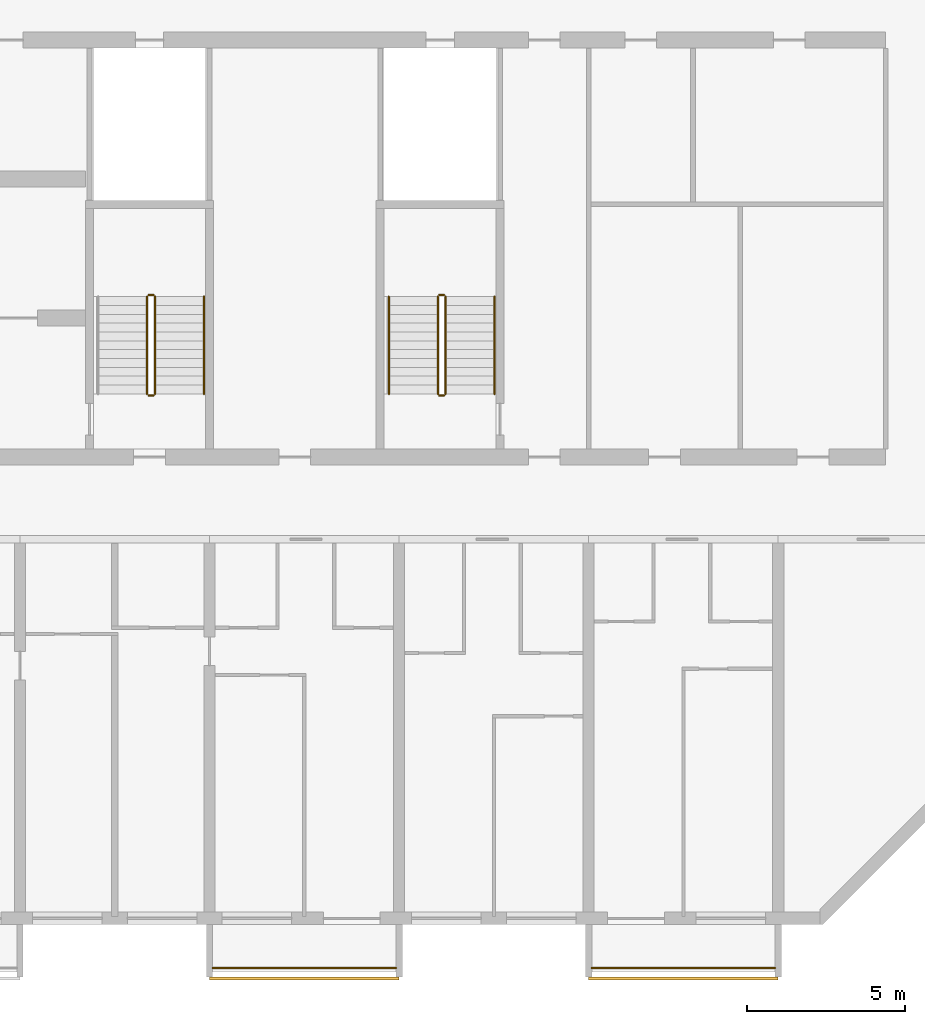
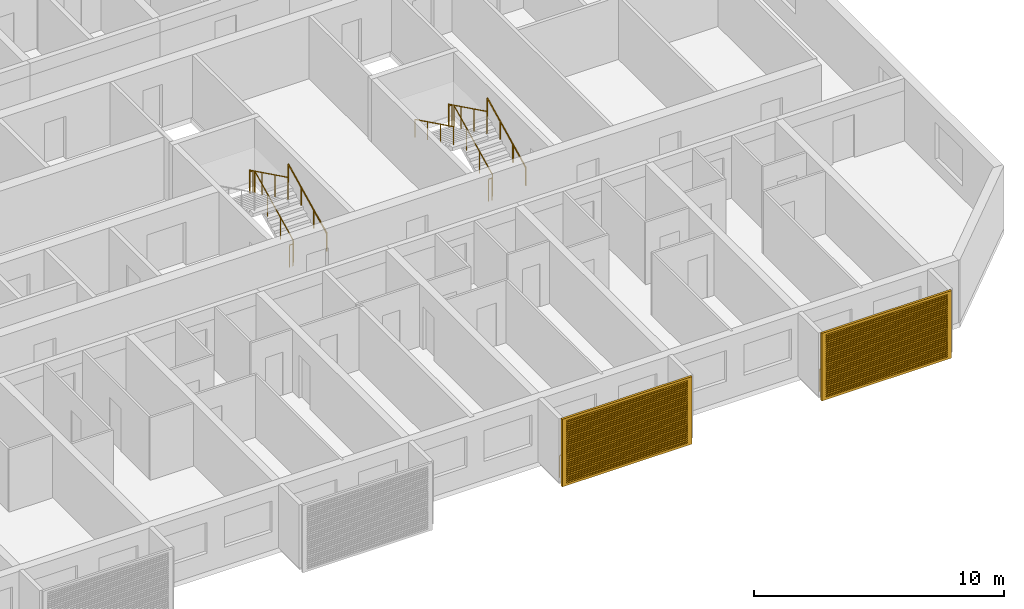
# One storey, part 23 of 25: 13 railings, 2 shading devices.
"""IFC4 building model written with IfcOpenShell, lengths in metres."""

from ifc_helpers import new_model, si_unit, direction, frame, origin, origin_2d, place, context, subcontext, project, spatial, polyline, circle, outline, extrude, source, transform, mapped, material, material_profile, profile_set, type_object, element, save


model = new_model("IFC4")

# Units and contexts
model_context = context("Model", 3, precision=1e-05, world=origin(), true_north=direction((0.0, 1.0)))
body_context = subcontext(model_context, "Body", "Model", "MODEL_VIEW")
ifc_project = project(units=[si_unit("LENGTHUNIT", "METRE"), si_unit("AREAUNIT", "SQUARE_METRE"), si_unit("VOLUMEUNIT", "CUBIC_METRE"), si_unit("PLANEANGLEUNIT", "RADIAN"), si_unit("MASSUNIT", "GRAM", prefix="KILO")], contexts=[model_context])

# Site, building, storey
site_placement = place(None, origin())
site = spatial("IfcSite", under=ifc_project, at=site_placement, CompositionType="ELEMENT")
building_placement = place(site_placement, origin())
building = spatial("IfcBuilding", under=site, at=building_placement, Name="Poui Terraces", CompositionType="ELEMENT")
storey_placement = place(building_placement, frame((0.0, 0.0, 89.39990234375)))
storey = spatial("IfcBuildingStorey", under=building, at=storey_placement, Name="L24", CompositionType="ELEMENT", Elevation=89.39990234375)

# Railings
ifc_material_1 = material(Name="Painted steel fretwork", Category="steel")
railing_type_1 = type_object("IfcRailingType", Name="BALCONY GUARD 1100", PredefinedType="GUARDRAIL", material=ifc_material_1)
for number, where, name in (
    (1, (72.10009765625, -1.570068359375, 0.0), "BALCONY GUARD"),
    (2, (84.10009765625, -1.570068359375, 0.0), "BALCONY GUARD"),
):
    element("IfcRailing", number, at=place(storey_placement, frame(where)), inside=storey, type_object=railing_type_1, Name=name, PredefinedType="GUARDRAIL", context=body_context, shape_type="SweptSolid", body=[
        extrude(circle(Radius=0.02392578125, at=origin_2d()), frame((0.0, 0.0, 1.076171875), z_axis=(1.0, 0.0, 0.0), x_axis=(0.0, 1.0, 0.0)), (0.0, 0.0, 1.0), 5.7998046875),
        extrude(circle(Radius=0.02099609375, at=origin_2d()), origin(), (0.0, 0.0, 1.0), 1.052001953125),
        extrude(circle(Radius=0.02099609375, at=origin_2d()), frame((0.966552734375, 0.0, 0.0)), (0.0, 0.0, 1.0), 1.052001953125),
        extrude(circle(Radius=0.02099609375, at=origin_2d()), frame((1.933349609375, 0.0, 0.0)), (0.0, 0.0, 1.0), 1.052001953125),
        extrude(circle(Radius=0.02099609375, at=origin_2d()), frame((2.89990234375, 0.0, 0.0)), (0.0, 0.0, 1.0), 1.052001953125),
        extrude(circle(Radius=0.02099609375, at=origin_2d()), frame((3.866455078125, 0.0, 0.0)), (0.0, 0.0, 1.0), 1.052001953125),
        extrude(circle(Radius=0.02099609375, at=origin_2d()), frame((4.833251953125, 0.0, 0.0)), (0.0, 0.0, 1.0), 1.052001953125),
        extrude(circle(Radius=0.02099609375, at=origin_2d()), frame((5.7998046875, 0.0, 0.0)), (0.0, 0.0, 1.0), 1.052001953125),
    ])
ifc_material_2 = material(Name="Galvanised steel balustrade", Category="steel")
railing_type_2 = type_object("IfcRailingType", Name="STAIR GUARD 1100", PredefinedType="GUARDRAIL", material=ifc_material_2)
railing_1_placement = place(storey_placement, frame((70.27490234375, 16.60009765625, 0.1376953125)))
element("IfcRailing", 3, at=railing_1_placement, inside=storey, type_object=railing_type_2, Name="L24 ST-CE stair guard 1", PredefinedType="GUARDRAIL", context=body_context, shape_type="SweptSolid", body=[
    extrude(circle(Radius=0.02392578125, at=origin_2d()), frame((0.0, 0.0, 1.076171875), z_axis=(0.0, 0.897606190399, 0.440798283751), x_axis=(-1.0, 0.0, 0.0)), (0.0, 0.0, 1.0), 3.43115234375),
    extrude(circle(Radius=0.02099609375, at=origin_2d()), origin(), (0.0, 0.0, 1.0), 1.052001953125),
    extrude(circle(Radius=0.02099609375, at=origin_2d()), frame((0.0, 1.026611328125, 0.504150390625)), (0.0, 0.0, 1.0), 1.052001953125),
    extrude(circle(Radius=0.02099609375, at=origin_2d()), frame((0.0, 2.05322265625, 1.00830078125)), (0.0, 0.0, 1.0), 1.052001953125),
    extrude(circle(Radius=0.02099609375, at=origin_2d()), frame((0.0, 3.079833984375, 1.512451171875)), (0.0, 0.0, 1.0), 1.052001953125),
])
railing_2_placement = place(storey_placement, frame((70.22509765625, 19.72998046875, 1.650146484375)))
element("IfcRailing", 4, at=railing_2_placement, inside=storey, type_object=railing_type_2, Name="L24 ST-CE stair guard 2", PredefinedType="GUARDRAIL", context=body_context, shape_type="SweptSolid", body=[
    extrude(circle(Radius=0.02392578125, at=origin_2d()), frame((0.0, 0.0, 1.076171875), z_axis=(-1.0, 0.0, 0.0), x_axis=(0.0, -1.0, 0.0)), (0.0, 0.0, 1.0), 0.150146484375),
    extrude(circle(Radius=0.02099609375, at=origin_2d()), origin(), (0.0, 0.0, 1.0), 1.052001953125),
    extrude(circle(Radius=0.02099609375, at=origin_2d()), frame((-0.150146484375, 0.0, 0.0)), (0.0, 0.0, 1.0), 1.052001953125),
])
railing_3_placement = place(storey_placement, frame((70.02490234375, 19.679931640625, 1.78759765625)))
element("IfcRailing", 5, at=railing_3_placement, inside=storey, type_object=railing_type_2, Name="L24 ST-CE stair guard 3", PredefinedType="GUARDRAIL", context=body_context, shape_type="SweptSolid", body=[
    extrude(circle(Radius=0.02392578125, at=origin_2d()), frame((0.0, 0.0, 1.076171875), z_axis=(0.0, -0.897606190399, 0.440798283751), x_axis=(1.0, 0.0, 0.0)), (0.0, 0.0, 1.0), 3.43115234375),
    extrude(circle(Radius=0.02099609375, at=origin_2d()), origin(), (0.0, 0.0, 1.0), 1.052001953125),
    extrude(circle(Radius=0.02099609375, at=origin_2d()), frame((0.0, -1.026611328125, 0.504150390625)), (0.0, 0.0, 1.0), 1.052001953125),
    extrude(circle(Radius=0.02099609375, at=origin_2d()), frame((0.0, -2.05322265625, 1.00830078125)), (0.0, 0.0, 1.0), 1.052001953125),
    extrude(circle(Radius=0.02099609375, at=origin_2d()), frame((0.0, -3.079833984375, 1.512451171875)), (0.0, 0.0, 1.0), 1.052001953125),
])
railing_4_placement = place(storey_placement, frame((70.22509765625, 16.550048828125, 0.0)))
element("IfcRailing", 6, at=railing_4_placement, inside=storey, type_object=railing_type_2, Name="L24 ST-CE stair guard 4", PredefinedType="GUARDRAIL", context=body_context, shape_type="SweptSolid", body=[
    extrude(circle(Radius=0.02392578125, at=origin_2d()), frame((0.0, 0.0, 1.076171875), z_axis=(-1.0, 0.0, 0.0), x_axis=(0.0, -1.0, 0.0)), (0.0, 0.0, 1.0), 0.150146484375),
    extrude(circle(Radius=0.02099609375, at=origin_2d()), origin(), (0.0, 0.0, 1.0), 1.052001953125),
    extrude(circle(Radius=0.02099609375, at=origin_2d()), frame((-0.150146484375, 0.0, 0.0)), (0.0, 0.0, 1.0), 1.052001953125),
])
railing_5_placement = place(storey_placement, frame((79.47509765625, 16.60009765625, 0.1376953125)))
element("IfcRailing", 7, at=railing_5_placement, inside=storey, type_object=railing_type_2, Name="L24 ST-E stair guard 1", PredefinedType="GUARDRAIL", context=body_context, shape_type="SweptSolid", body=[
    extrude(circle(Radius=0.02392578125, at=origin_2d()), frame((0.0, 0.0, 1.076171875), z_axis=(0.0, 0.897606190399, 0.440798283751), x_axis=(-1.0, 0.0, 0.0)), (0.0, 0.0, 1.0), 3.43115234375),
    extrude(circle(Radius=0.02099609375, at=origin_2d()), origin(), (0.0, 0.0, 1.0), 1.052001953125),
    extrude(circle(Radius=0.02099609375, at=origin_2d()), frame((0.0, 1.026611328125, 0.504150390625)), (0.0, 0.0, 1.0), 1.052001953125),
    extrude(circle(Radius=0.02099609375, at=origin_2d()), frame((0.0, 2.05322265625, 1.00830078125)), (0.0, 0.0, 1.0), 1.052001953125),
    extrude(circle(Radius=0.02099609375, at=origin_2d()), frame((0.0, 3.079833984375, 1.512451171875)), (0.0, 0.0, 1.0), 1.052001953125),
])
railing_6_placement = place(storey_placement, frame((79.425048828125, 19.72998046875, 1.650146484375)))
element("IfcRailing", 8, at=railing_6_placement, inside=storey, type_object=railing_type_2, Name="L24 ST-E stair guard 2", PredefinedType="GUARDRAIL", context=body_context, shape_type="SweptSolid", body=[
    extrude(circle(Radius=0.02392578125, at=origin_2d()), frame((0.0, 0.0, 1.076171875), z_axis=(-1.0, 0.0, 0.0), x_axis=(0.0, -1.0, 0.0)), (0.0, 0.0, 1.0), 0.150146484375),
    extrude(circle(Radius=0.02099609375, at=origin_2d()), origin(), (0.0, 0.0, 1.0), 1.052001953125),
    extrude(circle(Radius=0.02099609375, at=origin_2d()), frame((-0.150146484375, 0.0, 0.0)), (0.0, 0.0, 1.0), 1.052001953125),
])
railing_7_placement = place(storey_placement, frame((79.22509765625, 19.679931640625, 1.78759765625)))
element("IfcRailing", 9, at=railing_7_placement, inside=storey, type_object=railing_type_2, Name="L24 ST-E stair guard 3", PredefinedType="GUARDRAIL", context=body_context, shape_type="SweptSolid", body=[
    extrude(circle(Radius=0.02392578125, at=origin_2d()), frame((0.0, 0.0, 1.076171875), z_axis=(0.0, -0.897606190399, 0.440798283751), x_axis=(1.0, 0.0, 0.0)), (0.0, 0.0, 1.0), 3.43115234375),
    extrude(circle(Radius=0.02099609375, at=origin_2d()), origin(), (0.0, 0.0, 1.0), 1.052001953125),
    extrude(circle(Radius=0.02099609375, at=origin_2d()), frame((0.0, -1.026611328125, 0.504150390625)), (0.0, 0.0, 1.0), 1.052001953125),
    extrude(circle(Radius=0.02099609375, at=origin_2d()), frame((0.0, -2.05322265625, 1.00830078125)), (0.0, 0.0, 1.0), 1.052001953125),
    extrude(circle(Radius=0.02099609375, at=origin_2d()), frame((0.0, -3.079833984375, 1.512451171875)), (0.0, 0.0, 1.0), 1.052001953125),
])
railing_8_placement = place(storey_placement, frame((79.425048828125, 16.550048828125, 0.0)))
element("IfcRailing", 10, at=railing_8_placement, inside=storey, type_object=railing_type_2, Name="L24 ST-E stair guard 4", PredefinedType="GUARDRAIL", context=body_context, shape_type="SweptSolid", body=[
    extrude(circle(Radius=0.02392578125, at=origin_2d()), frame((0.0, 0.0, 1.076171875), z_axis=(-1.0, 0.0, 0.0), x_axis=(0.0, -1.0, 0.0)), (0.0, 0.0, 1.0), 0.150146484375),
    extrude(circle(Radius=0.02099609375, at=origin_2d()), origin(), (0.0, 0.0, 1.0), 1.052001953125),
    extrude(circle(Radius=0.02099609375, at=origin_2d()), frame((-0.150146484375, 0.0, 0.0)), (0.0, 0.0, 1.0), 1.052001953125),
])
ifc_material_3 = material(Name="Stainless steel handrail", Category="steel")
railing_type_3 = type_object("IfcRailingType", Name="STAIR HANDRAIL 900", PredefinedType="HANDRAIL", material=ifc_material_3)
for number, where, name in (
    (11, (71.824951171875, 16.60009765625, 0.1376953125), "L24 ST-CE stair handrail 1"),
    (12, (81.02490234375, 16.60009765625, 0.1376953125), "L24 ST-E stair handrail 1"),
):
    element("IfcRailing", number, at=place(storey_placement, frame(where)), inside=storey, type_object=railing_type_3, Name=name, PredefinedType="HANDRAIL", context=body_context, shape_type="SweptSolid", body=[
        extrude(circle(Radius=0.02392578125, at=origin_2d()), frame((0.0, 0.0, 0.8759765625), z_axis=(0.0, 0.897606190399, 0.440798283751), x_axis=(-1.0, 0.0, 0.0)), (0.0, 0.0, 1.0), 3.43115234375),
        extrude(circle(Radius=0.02099609375, at=origin_2d()), origin(), (0.0, 0.0, 1.0), 0.851806640625),
        extrude(circle(Radius=0.02099609375, at=origin_2d()), frame((0.0, 1.026611328125, 0.504150390625)), (0.0, 0.0, 1.0), 0.851806640625),
        extrude(circle(Radius=0.02099609375, at=origin_2d()), frame((0.0, 2.05322265625, 1.00830078125)), (0.0, 0.0, 1.0), 0.851806640625),
        extrude(circle(Radius=0.02099609375, at=origin_2d()), frame((0.0, 3.079833984375, 1.512451171875)), (0.0, 0.0, 1.0), 0.851806640625),
    ])
railing_9_placement = place(storey_placement, frame((77.675048828125, 19.679931640625, 1.78759765625)))
element("IfcRailing", 13, at=railing_9_placement, inside=storey, type_object=railing_type_3, Name="L24 ST-E stair handrail 2", PredefinedType="HANDRAIL", context=body_context, shape_type="SweptSolid", body=[
    extrude(circle(Radius=0.02392578125, at=origin_2d()), frame((0.0, 0.0, 0.8759765625), z_axis=(0.0, -0.897606190399, 0.440798283751), x_axis=(1.0, 0.0, 0.0)), (0.0, 0.0, 1.0), 3.43115234375),
    extrude(circle(Radius=0.02099609375, at=origin_2d()), origin(), (0.0, 0.0, 1.0), 0.851806640625),
    extrude(circle(Radius=0.02099609375, at=origin_2d()), frame((0.0, -1.026611328125, 0.504150390625)), (0.0, 0.0, 1.0), 0.851806640625),
    extrude(circle(Radius=0.02099609375, at=origin_2d()), frame((0.0, -2.05322265625, 1.00830078125)), (0.0, 0.0, 1.0), 0.851806640625),
    extrude(circle(Radius=0.02099609375, at=origin_2d()), frame((0.0, -3.079833984375, 1.512451171875)), (0.0, 0.0, 1.0), 0.851806640625),
])

# Shading devices
ifc_material_4 = material(Name="Aluminium louvre", Category="aluminium")
ifc_material_profile = material_profile(ifc_material_4, outline(polyline([(-3.0, -1.64990234375), (3.0, -1.64990234375), (3.0, 1.64990234375), (-3.0, 1.64990234375), (-3.0, -1.64990234375)]), holes=[polyline([(-2.800048828125, -1.530029296875), (2.800048828125, -1.530029296875), (2.800048828125, -1.469970703125), (-2.800048828125, -1.469970703125), (-2.800048828125, -1.530029296875)]), polyline([(-2.800048828125, -1.429931640625), (2.800048828125, -1.429931640625), (2.800048828125, -1.3701171875), (-2.800048828125, -1.3701171875), (-2.800048828125, -1.429931640625)]), polyline([(-2.800048828125, -1.330078125), (2.800048828125, -1.330078125), (2.800048828125, -1.27001953125), (-2.800048828125, -1.27001953125), (-2.800048828125, -1.330078125)]), polyline([(-2.800048828125, -1.22998046875), (2.800048828125, -1.22998046875), (2.800048828125, -1.169921875), (-2.800048828125, -1.169921875), (-2.800048828125, -1.22998046875)]), polyline([(-2.800048828125, -1.1298828125), (2.800048828125, -1.1298828125), (2.800048828125, -1.070068359375), (-2.800048828125, -1.070068359375), (-2.800048828125, -1.1298828125)]), polyline([(-2.800048828125, -1.030029296875), (2.800048828125, -1.030029296875), (2.800048828125, -0.969970703125), (-2.800048828125, -0.969970703125), (-2.800048828125, -1.030029296875)]), polyline([(-2.800048828125, -0.929931640625), (2.800048828125, -0.929931640625), (2.800048828125, -0.8701171875), (-2.800048828125, -0.8701171875), (-2.800048828125, -0.929931640625)]), polyline([(-2.800048828125, -0.830078125), (2.800048828125, -0.830078125), (2.800048828125, -0.77001953125), (-2.800048828125, -0.77001953125), (-2.800048828125, -0.830078125)]), polyline([(-2.800048828125, -0.72998046875), (2.800048828125, -0.72998046875), (2.800048828125, -0.669921875), (-2.800048828125, -0.669921875), (-2.800048828125, -0.72998046875)]), polyline([(-2.800048828125, -0.6298828125), (2.800048828125, -0.6298828125), (2.800048828125, -0.570068359375), (-2.800048828125, -0.570068359375), (-2.800048828125, -0.6298828125)]), polyline([(-2.800048828125, -0.530029296875), (2.800048828125, -0.530029296875), (2.800048828125, -0.469970703125), (-2.800048828125, -0.469970703125), (-2.800048828125, -0.530029296875)]), polyline([(-2.800048828125, -0.429931640625), (2.800048828125, -0.429931640625), (2.800048828125, -0.3701171875), (-2.800048828125, -0.3701171875), (-2.800048828125, -0.429931640625)]), polyline([(-2.800048828125, -0.330078125), (2.800048828125, -0.330078125), (2.800048828125, -0.27001953125), (-2.800048828125, -0.27001953125), (-2.800048828125, -0.330078125)]), polyline([(-2.800048828125, -0.22998046875), (2.800048828125, -0.22998046875), (2.800048828125, -0.169921875), (-2.800048828125, -0.169921875), (-2.800048828125, -0.22998046875)]), polyline([(-2.800048828125, -0.1298828125), (2.800048828125, -0.1298828125), (2.800048828125, -0.070068359375), (-2.800048828125, -0.070068359375), (-2.800048828125, -0.1298828125)]), polyline([(-2.800048828125, -0.030029296875), (2.800048828125, -0.030029296875), (2.800048828125, 0.030029296875), (-2.800048828125, 0.030029296875), (-2.800048828125, -0.030029296875)]), polyline([(-2.800048828125, 0.070068359375), (2.800048828125, 0.070068359375), (2.800048828125, 0.1298828125), (-2.800048828125, 0.1298828125), (-2.800048828125, 0.070068359375)]), polyline([(-2.800048828125, 0.169921875), (2.800048828125, 0.169921875), (2.800048828125, 0.22998046875), (-2.800048828125, 0.22998046875), (-2.800048828125, 0.169921875)]), polyline([(-2.800048828125, 0.27001953125), (2.800048828125, 0.27001953125), (2.800048828125, 0.330078125), (-2.800048828125, 0.330078125), (-2.800048828125, 0.27001953125)]), polyline([(-2.800048828125, 0.3701171875), (2.800048828125, 0.3701171875), (2.800048828125, 0.429931640625), (-2.800048828125, 0.429931640625), (-2.800048828125, 0.3701171875)]), polyline([(-2.800048828125, 0.469970703125), (2.800048828125, 0.469970703125), (2.800048828125, 0.530029296875), (-2.800048828125, 0.530029296875), (-2.800048828125, 0.469970703125)]), polyline([(-2.800048828125, 0.570068359375), (2.800048828125, 0.570068359375), (2.800048828125, 0.6298828125), (-2.800048828125, 0.6298828125), (-2.800048828125, 0.570068359375)]), polyline([(-2.800048828125, 0.669921875), (2.800048828125, 0.669921875), (2.800048828125, 0.72998046875), (-2.800048828125, 0.72998046875), (-2.800048828125, 0.669921875)]), polyline([(-2.800048828125, 0.77001953125), (2.800048828125, 0.77001953125), (2.800048828125, 0.830078125), (-2.800048828125, 0.830078125), (-2.800048828125, 0.77001953125)]), polyline([(-2.800048828125, 0.8701171875), (2.800048828125, 0.8701171875), (2.800048828125, 0.929931640625), (-2.800048828125, 0.929931640625), (-2.800048828125, 0.8701171875)]), polyline([(-2.800048828125, 0.969970703125), (2.800048828125, 0.969970703125), (2.800048828125, 1.030029296875), (-2.800048828125, 1.030029296875), (-2.800048828125, 0.969970703125)]), polyline([(-2.800048828125, 1.070068359375), (2.800048828125, 1.070068359375), (2.800048828125, 1.1298828125), (-2.800048828125, 1.1298828125), (-2.800048828125, 1.070068359375)]), polyline([(-2.800048828125, 1.169921875), (2.800048828125, 1.169921875), (2.800048828125, 1.22998046875), (-2.800048828125, 1.22998046875), (-2.800048828125, 1.169921875)]), polyline([(-2.800048828125, 1.27001953125), (2.800048828125, 1.27001953125), (2.800048828125, 1.330078125), (-2.800048828125, 1.330078125), (-2.800048828125, 1.27001953125)]), polyline([(-2.800048828125, 1.3701171875), (2.800048828125, 1.3701171875), (2.800048828125, 1.429931640625), (-2.800048828125, 1.429931640625), (-2.800048828125, 1.3701171875)]), polyline([(-2.800048828125, 1.469970703125), (2.800048828125, 1.469970703125), (2.800048828125, 1.530029296875), (-2.800048828125, 1.530029296875), (-2.800048828125, 1.469970703125)])]), Name="JALOUSIE LOUVRE SHUTTER 6000X3300")
ifc_profile_set = profile_set([ifc_material_profile], Name="Aluminium louvre")
shading_device_type = type_object("IfcShadingDeviceType", Name="JALOUSIE LOUVRE SHUTTER 6000X3300", PredefinedType="JALOUSIE", material=ifc_profile_set)
shared_shape = source(origin(), body_context, "Body", "SweptSolid", [
    extrude(outline(polyline([(-3.0, -1.64990234375), (3.0, -1.64990234375), (3.0, 1.64990234375), (-3.0, 1.64990234375), (-3.0, -1.64990234375)]), holes=[polyline([(-2.800048828125, -1.530029296875), (2.800048828125, -1.530029296875), (2.800048828125, -1.469970703125), (-2.800048828125, -1.469970703125), (-2.800048828125, -1.530029296875)]), polyline([(-2.800048828125, -1.429931640625), (2.800048828125, -1.429931640625), (2.800048828125, -1.3701171875), (-2.800048828125, -1.3701171875), (-2.800048828125, -1.429931640625)]), polyline([(-2.800048828125, -1.330078125), (2.800048828125, -1.330078125), (2.800048828125, -1.27001953125), (-2.800048828125, -1.27001953125), (-2.800048828125, -1.330078125)]), polyline([(-2.800048828125, -1.22998046875), (2.800048828125, -1.22998046875), (2.800048828125, -1.169921875), (-2.800048828125, -1.169921875), (-2.800048828125, -1.22998046875)]), polyline([(-2.800048828125, -1.1298828125), (2.800048828125, -1.1298828125), (2.800048828125, -1.070068359375), (-2.800048828125, -1.070068359375), (-2.800048828125, -1.1298828125)]), polyline([(-2.800048828125, -1.030029296875), (2.800048828125, -1.030029296875), (2.800048828125, -0.969970703125), (-2.800048828125, -0.969970703125), (-2.800048828125, -1.030029296875)]), polyline([(-2.800048828125, -0.929931640625), (2.800048828125, -0.929931640625), (2.800048828125, -0.8701171875), (-2.800048828125, -0.8701171875), (-2.800048828125, -0.929931640625)]), polyline([(-2.800048828125, -0.830078125), (2.800048828125, -0.830078125), (2.800048828125, -0.77001953125), (-2.800048828125, -0.77001953125), (-2.800048828125, -0.830078125)]), polyline([(-2.800048828125, -0.72998046875), (2.800048828125, -0.72998046875), (2.800048828125, -0.669921875), (-2.800048828125, -0.669921875), (-2.800048828125, -0.72998046875)]), polyline([(-2.800048828125, -0.6298828125), (2.800048828125, -0.6298828125), (2.800048828125, -0.570068359375), (-2.800048828125, -0.570068359375), (-2.800048828125, -0.6298828125)]), polyline([(-2.800048828125, -0.530029296875), (2.800048828125, -0.530029296875), (2.800048828125, -0.469970703125), (-2.800048828125, -0.469970703125), (-2.800048828125, -0.530029296875)]), polyline([(-2.800048828125, -0.429931640625), (2.800048828125, -0.429931640625), (2.800048828125, -0.3701171875), (-2.800048828125, -0.3701171875), (-2.800048828125, -0.429931640625)]), polyline([(-2.800048828125, -0.330078125), (2.800048828125, -0.330078125), (2.800048828125, -0.27001953125), (-2.800048828125, -0.27001953125), (-2.800048828125, -0.330078125)]), polyline([(-2.800048828125, -0.22998046875), (2.800048828125, -0.22998046875), (2.800048828125, -0.169921875), (-2.800048828125, -0.169921875), (-2.800048828125, -0.22998046875)]), polyline([(-2.800048828125, -0.1298828125), (2.800048828125, -0.1298828125), (2.800048828125, -0.070068359375), (-2.800048828125, -0.070068359375), (-2.800048828125, -0.1298828125)]), polyline([(-2.800048828125, -0.030029296875), (2.800048828125, -0.030029296875), (2.800048828125, 0.030029296875), (-2.800048828125, 0.030029296875), (-2.800048828125, -0.030029296875)]), polyline([(-2.800048828125, 0.070068359375), (2.800048828125, 0.070068359375), (2.800048828125, 0.1298828125), (-2.800048828125, 0.1298828125), (-2.800048828125, 0.070068359375)]), polyline([(-2.800048828125, 0.169921875), (2.800048828125, 0.169921875), (2.800048828125, 0.22998046875), (-2.800048828125, 0.22998046875), (-2.800048828125, 0.169921875)]), polyline([(-2.800048828125, 0.27001953125), (2.800048828125, 0.27001953125), (2.800048828125, 0.330078125), (-2.800048828125, 0.330078125), (-2.800048828125, 0.27001953125)]), polyline([(-2.800048828125, 0.3701171875), (2.800048828125, 0.3701171875), (2.800048828125, 0.429931640625), (-2.800048828125, 0.429931640625), (-2.800048828125, 0.3701171875)]), polyline([(-2.800048828125, 0.469970703125), (2.800048828125, 0.469970703125), (2.800048828125, 0.530029296875), (-2.800048828125, 0.530029296875), (-2.800048828125, 0.469970703125)]), polyline([(-2.800048828125, 0.570068359375), (2.800048828125, 0.570068359375), (2.800048828125, 0.6298828125), (-2.800048828125, 0.6298828125), (-2.800048828125, 0.570068359375)]), polyline([(-2.800048828125, 0.669921875), (2.800048828125, 0.669921875), (2.800048828125, 0.72998046875), (-2.800048828125, 0.72998046875), (-2.800048828125, 0.669921875)]), polyline([(-2.800048828125, 0.77001953125), (2.800048828125, 0.77001953125), (2.800048828125, 0.830078125), (-2.800048828125, 0.830078125), (-2.800048828125, 0.77001953125)]), polyline([(-2.800048828125, 0.8701171875), (2.800048828125, 0.8701171875), (2.800048828125, 0.929931640625), (-2.800048828125, 0.929931640625), (-2.800048828125, 0.8701171875)]), polyline([(-2.800048828125, 0.969970703125), (2.800048828125, 0.969970703125), (2.800048828125, 1.030029296875), (-2.800048828125, 1.030029296875), (-2.800048828125, 0.969970703125)]), polyline([(-2.800048828125, 1.070068359375), (2.800048828125, 1.070068359375), (2.800048828125, 1.1298828125), (-2.800048828125, 1.1298828125), (-2.800048828125, 1.070068359375)]), polyline([(-2.800048828125, 1.169921875), (2.800048828125, 1.169921875), (2.800048828125, 1.22998046875), (-2.800048828125, 1.22998046875), (-2.800048828125, 1.169921875)]), polyline([(-2.800048828125, 1.27001953125), (2.800048828125, 1.27001953125), (2.800048828125, 1.330078125), (-2.800048828125, 1.330078125), (-2.800048828125, 1.27001953125)]), polyline([(-2.800048828125, 1.3701171875), (2.800048828125, 1.3701171875), (2.800048828125, 1.429931640625), (-2.800048828125, 1.429931640625), (-2.800048828125, 1.3701171875)]), polyline([(-2.800048828125, 1.469970703125), (2.800048828125, 1.469970703125), (2.800048828125, 1.530029296875), (-2.800048828125, 1.530029296875), (-2.800048828125, 1.469970703125)])]), origin(), (0.0, 0.0, 1.0), 0.099853515625),
])
for number, where, z_axis, x_axis, name in (
    (14, (75.0, -1.85009765625, 1.4501953125), (0.0, -1.0, 0.0), (1.0, 0.0, 0.0), "JALOUSIE LOUVRE SHUTTER"),
    (15, (87.0, -1.85009765625, 1.4501953125), (0.0, -1.0, 0.0), (1.0, 0.0, 0.0), "JALOUSIE LOUVRE SHUTTER"),
):
    element("IfcShadingDevice", number, at=place(storey_placement, frame(where, z_axis=z_axis, x_axis=x_axis)), inside=storey, type_object=shading_device_type, Name=name, PredefinedType="JALOUSIE", context=body_context, shape_type="MappedRepresentation", body=[
        mapped(shared_shape, transform((0.0, 0.0, 0.0))),
    ])

save(model, "model.ifc")
